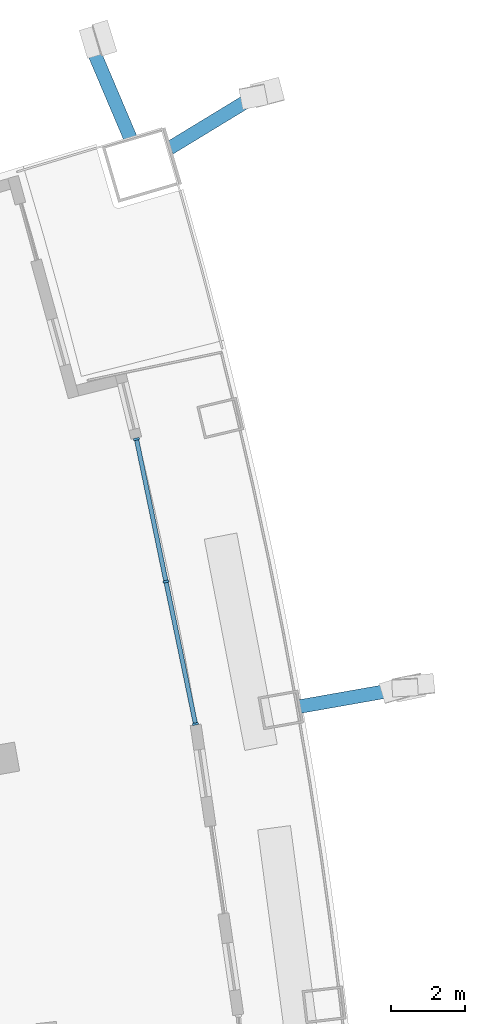
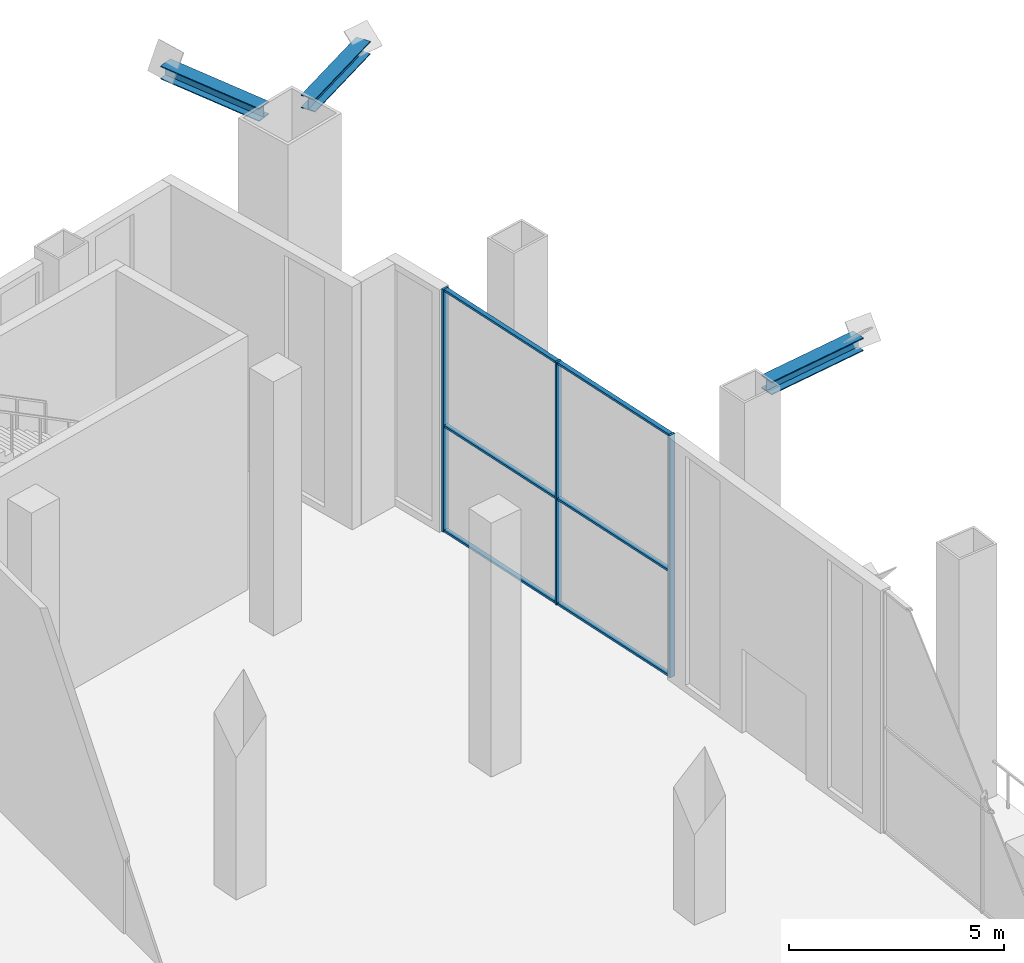
# One storey, part 13 of 26: 12 members, 1 element without a shape of its own.
"""IFC4 building model written with IfcOpenShell, lengths in metres."""

from ifc_helpers import new_model, si_unit, direction, frame, origin, origin_2d, place, context, subcontext, project, spatial, rectangle, i_section, extrude, material, layer, layer_set, material_profile, profile_set, type_object, element, aggregate, save


model = new_model("IFC4")

# Units and contexts
model_context = context("Model", 3, precision=1e-05, world=origin(), true_north=direction((0.0, 1.0)))
body_context = subcontext(model_context, "Body", "Model", "MODEL_VIEW")
ifc_project = project(units=[si_unit("LENGTHUNIT", "METRE"), si_unit("AREAUNIT", "SQUARE_METRE"), si_unit("VOLUMEUNIT", "CUBIC_METRE"), si_unit("PLANEANGLEUNIT", "RADIAN"), si_unit("MASSUNIT", "GRAM", prefix="KILO")], contexts=[model_context])

# Site, building, storey
site_placement = place(None, origin())
site = spatial("IfcSite", under=ifc_project, at=site_placement, CompositionType="ELEMENT")
building_placement = place(site_placement, origin())
building = spatial("IfcBuilding", under=site, at=building_placement, Name="Alderwake Tower", CompositionType="ELEMENT")
storey_placement = place(building_placement, frame((0.0, 0.0, 182.0)))
storey = spatial("IfcBuildingStorey", under=building, at=storey_placement, Name="L45", CompositionType="ELEMENT", Elevation=182.0)

# Members
ifc_material_1 = material(Name="Steel ASTM A992 Grade 50", Category="steel")
ifc_material_profile_1 = material_profile(ifc_material_1, i_section(OverallWidth=0.3740234375, OverallDepth=0.372314453125, WebThickness=0.016357421875, FlangeThickness=0.026123046875, at=origin_2d()), Name="W14X132")
ifc_profile_set_1 = profile_set([ifc_material_profile_1], Name="Steel ASTM A992 Grade 50")
member_type_1 = type_object("IfcMemberType", Name="Brace node stub W14X132", PredefinedType="MEMBER", material=ifc_profile_set_1)
member_1_placement = place(storey_placement, frame((57.369384765625, 85.2880859375, 6.993896484375), z_axis=(0.984725252024, 0.174115415823, 0.0), x_axis=(-0.174115415823, 0.984725252024, 0.0)))
element("IfcMember", 1, at=member_1_placement, inside=storey, type_object=member_type_1, Name="Brace node stub BS.FR10-C5.1892", PredefinedType="MEMBER", context=body_context, shape_type="SweptSolid", body=[
    extrude(i_section(OverallWidth=0.3740234375, OverallDepth=0.372314453125, WebThickness=0.016357421875, FlangeThickness=0.026123046875, at=origin_2d()), origin(), (0.0, 0.0, 1.0), 2.78466796875),
])
member_2_placement = place(storey_placement, frame((53.8505859375, 100.480712890625, 6.993896484375), z_axis=(0.854057445096, 0.520178700521, 0.0), x_axis=(-0.520178700521, 0.854057445096, 0.0)))
element("IfcMember", 2, at=member_2_placement, inside=storey, type_object=member_type_1, Name="Brace node stub BS.FR12-C5.1892", PredefinedType="MEMBER", context=body_context, shape_type="SweptSolid", body=[
    extrude(i_section(OverallWidth=0.3740234375, OverallDepth=0.372314453125, WebThickness=0.016357421875, FlangeThickness=0.026123046875, at=origin_2d()), origin(), (0.0, 0.0, 1.0), 2.67333984375),
])
member_3_placement = place(storey_placement, frame((52.80224609375, 100.71728515625, 6.993896484375), z_axis=(-0.390851868324, 0.920453593087, 0.0), x_axis=(-0.920453593087, -0.390851868324, 0.0)))
element("IfcMember", 3, at=member_3_placement, inside=storey, type_object=member_type_1, Name="Brace node stub BS.NR12-C5.1892", PredefinedType="MEMBER", context=body_context, shape_type="SweptSolid", body=[
    extrude(i_section(OverallWidth=0.3740234375, OverallDepth=0.372314453125, WebThickness=0.016357421875, FlangeThickness=0.026123046875, at=origin_2d()), origin(), (0.0, 0.0, 1.0), 2.864501953125),
])

# Curtain wall, members
ifc_material_2 = material(Name="Bronze tinted glass in aluminium frame", Category="aluminium")
ifc_layer = layer(ifc_material_2, 0.199951171875)
ifc_layer_set = layer_set([ifc_layer], Name="Curtain wall CW3 sky garden glazing")
curtain_wall_type = type_object("IfcCurtainWallType", Name="Curtain wall CW3 sky garden glazing", PredefinedType="NOTDEFINED", material=ifc_layer_set)
curtain_wall_placement = place(storey_placement, origin())
curtain_wall = element("IfcCurtainWall", 4, at=curtain_wall_placement, inside=storey, type_object=curtain_wall_type, Name="Curtain wall 7", PredefinedType="NOTDEFINED")
ifc_material_3 = material(Name="Aluminium bronze anodised", Category="aluminium")
ifc_material_profile_2 = material_profile(ifc_material_3, rectangle(XDim=0.159912109375, YDim=0.06005859375, at=origin_2d()), Name="Mullion MUC 60x160")
ifc_profile_set_2 = profile_set([ifc_material_profile_2], Name="Aluminium bronze anodised")
member_type_2 = type_object("IfcMemberType", Name="Mullion MUC 60x160", PredefinedType="MULLION", material=ifc_profile_set_2)
member_4_placement = place(storey_placement, frame((54.55712890625, 84.81982421875, 0.0), z_axis=(0.0, 0.0, 1.0), x_axis=(-0.979231148586, -0.202747028679, 0.0)))
member_4 = element("IfcMember", 5, at=member_4_placement, type_object=member_type_2, Name="CW.07 mullion 1", PredefinedType="MULLION", context=body_context, shape_type="SweptSolid", body=[
    extrude(rectangle(XDim=0.159912109375, YDim=0.06005859375, at=origin_2d()), origin(), (0.0, 0.0, 1.0), 6.8798828125),
])
member_5_placement = place(storey_placement, frame((53.7548828125, 88.694091796875, 0.0), z_axis=(0.0, 0.0, 1.0), x_axis=(-0.979231148586, -0.202747028679, 0.0)))
member_5 = element("IfcMember", 6, at=member_5_placement, type_object=member_type_2, Name="CW.07 mullion 2", PredefinedType="MULLION", context=body_context, shape_type="SweptSolid", body=[
    extrude(rectangle(XDim=0.159912109375, YDim=0.06005859375, at=origin_2d()), origin(), (0.0, 0.0, 1.0), 6.8798828125),
])
member_6_placement = place(storey_placement, frame((52.95263671875, 92.568603515625, 0.0), z_axis=(0.0, 0.0, 1.0), x_axis=(-0.979231148586, -0.202747028679, 0.0)))
member_6 = element("IfcMember", 7, at=member_6_placement, type_object=member_type_2, Name="CW.07 mullion 3", PredefinedType="MULLION", context=body_context, shape_type="SweptSolid", body=[
    extrude(rectangle(XDim=0.159912109375, YDim=0.06005859375, at=origin_2d()), origin(), (0.0, 0.0, 1.0), 6.8798828125),
])
ifc_material_4 = material(Name="Aluminium bronze anodised", Category="aluminium")
ifc_material_profile_3 = material_profile(ifc_material_4, rectangle(XDim=0.1201171875, YDim=0.06005859375, at=origin_2d()), Name="Transom TRC 60x120")
ifc_profile_set_3 = profile_set([ifc_material_profile_3], Name="Aluminium bronze anodised")
member_type_3 = type_object("IfcMemberType", Name="Transom TRC 60x120", PredefinedType="USERDEFINED", material=ifc_profile_set_3)
member_7_placement = place(storey_placement, frame((54.551025390625, 84.849365234375, 0.030029296875), z_axis=(-0.202763069427, 0.979227827258, 0.0), x_axis=(-0.979227827258, -0.202763069427, 0.0)))
member_7 = element("IfcMember", 8, at=member_7_placement, type_object=member_type_3, Name="CW.07 transom 1.1", ObjectType="TRANSOM", PredefinedType="USERDEFINED", context=body_context, shape_type="SweptSolid", body=[
    extrude(rectangle(XDim=0.1201171875, YDim=0.06005859375, at=origin_2d()), origin(), (0.0, 0.0, 1.0), 3.896484375),
])
member_8_placement = place(storey_placement, frame((54.551025390625, 84.849365234375, 3.0), z_axis=(-0.202763069427, 0.979227827258, 0.0), x_axis=(-0.979227827258, -0.202763069427, 0.0)))
member_8 = element("IfcMember", 9, at=member_8_placement, type_object=member_type_3, Name="CW.07 transom 1.2", ObjectType="TRANSOM", PredefinedType="USERDEFINED", context=body_context, shape_type="SweptSolid", body=[
    extrude(rectangle(XDim=0.1201171875, YDim=0.06005859375, at=origin_2d()), origin(), (0.0, 0.0, 1.0), 3.896484375),
])
member_9_placement = place(storey_placement, frame((54.551025390625, 84.849365234375, 6.85009765625), z_axis=(-0.202763069427, 0.979227827258, 0.0), x_axis=(-0.979227827258, -0.202763069427, 0.0)))
member_9 = element("IfcMember", 10, at=member_9_placement, type_object=member_type_3, Name="CW.07 transom 1.3", ObjectType="TRANSOM", PredefinedType="USERDEFINED", context=body_context, shape_type="SweptSolid", body=[
    extrude(rectangle(XDim=0.1201171875, YDim=0.06005859375, at=origin_2d()), origin(), (0.0, 0.0, 1.0), 3.896484375),
])
member_10_placement = place(storey_placement, frame((53.748779296875, 88.7236328125, 0.030029296875), z_axis=(-0.202763069427, 0.979227827258, 0.0), x_axis=(-0.979227827258, -0.202763069427, 0.0)))
member_10 = element("IfcMember", 11, at=member_10_placement, type_object=member_type_3, Name="CW.07 transom 2.1", ObjectType="TRANSOM", PredefinedType="USERDEFINED", context=body_context, shape_type="SweptSolid", body=[
    extrude(rectangle(XDim=0.1201171875, YDim=0.06005859375, at=origin_2d()), origin(), (0.0, 0.0, 1.0), 3.896484375),
])
member_11_placement = place(storey_placement, frame((53.748779296875, 88.7236328125, 3.0), z_axis=(-0.202763069427, 0.979227827258, 0.0), x_axis=(-0.979227827258, -0.202763069427, 0.0)))
member_11 = element("IfcMember", 12, at=member_11_placement, type_object=member_type_3, Name="CW.07 transom 2.2", ObjectType="TRANSOM", PredefinedType="USERDEFINED", context=body_context, shape_type="SweptSolid", body=[
    extrude(rectangle(XDim=0.1201171875, YDim=0.06005859375, at=origin_2d()), origin(), (0.0, 0.0, 1.0), 3.896484375),
])
member_12_placement = place(storey_placement, frame((53.748779296875, 88.7236328125, 6.85009765625), z_axis=(-0.202763069427, 0.979227827258, 0.0), x_axis=(-0.979227827258, -0.202763069427, 0.0)))
member_12 = element("IfcMember", 13, at=member_12_placement, type_object=member_type_3, Name="CW.07 transom 2.3", ObjectType="TRANSOM", PredefinedType="USERDEFINED", context=body_context, shape_type="SweptSolid", body=[
    extrude(rectangle(XDim=0.1201171875, YDim=0.06005859375, at=origin_2d()), origin(), (0.0, 0.0, 1.0), 3.896484375),
])
aggregate(curtain_wall, [member_4, member_5, member_6, member_7, member_8, member_9, member_10, member_11, member_12])

save(model, "model.ifc")
